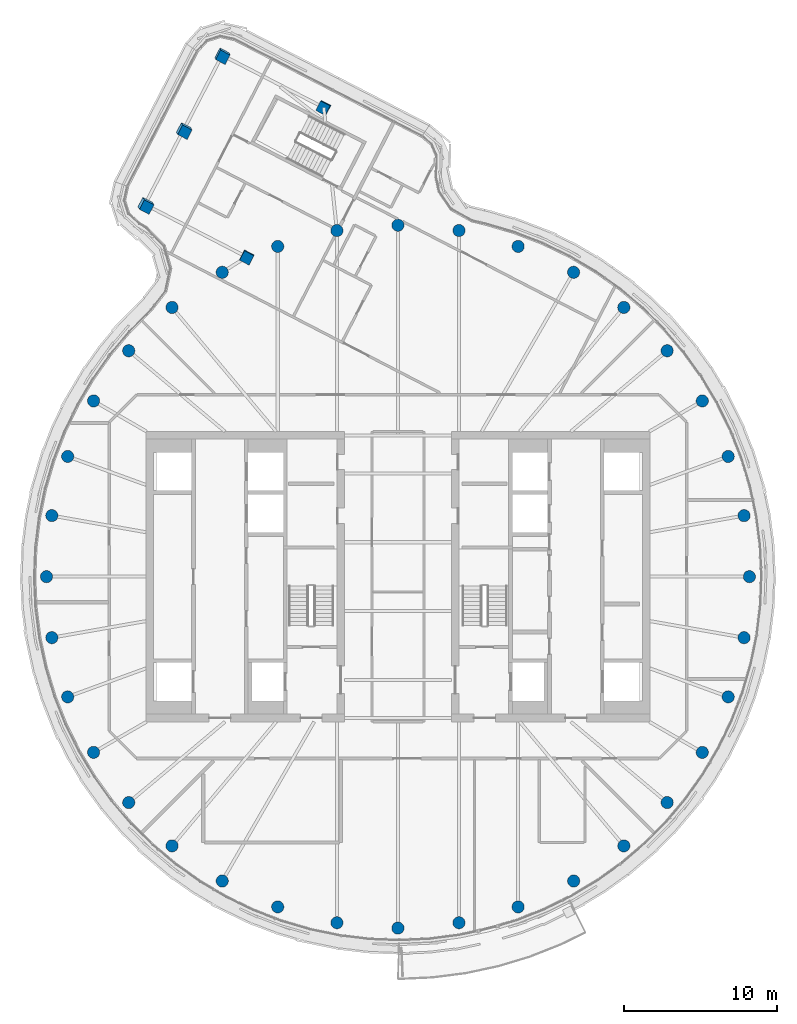
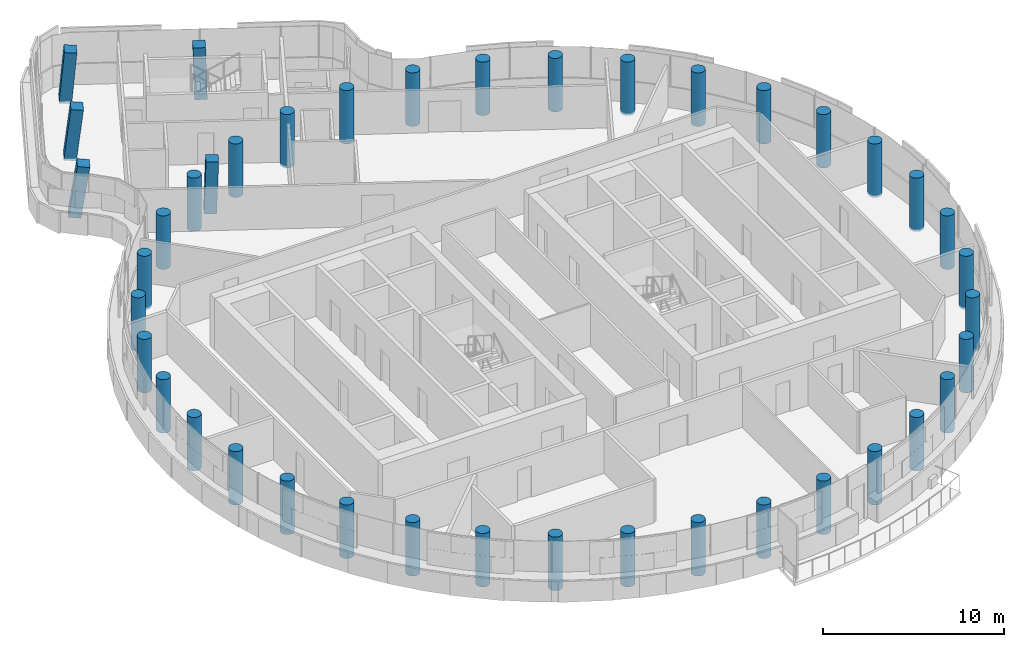
# One storey, part 1 of 21: 41 columns.
"""IFC4 building model written with IfcOpenShell, lengths in metres."""

from ifc_helpers import new_model, si_unit, direction, frame, origin, origin_2d, place, context, subcontext, project, spatial, rectangle, circle, extrude, material, material_profile, profile_set, type_object, element, save


model = new_model("IFC4")

# Units and contexts
model_context = context("Model", 3, precision=1e-05, world=origin(), true_north=direction((0.0, 1.0)))
body_context = subcontext(model_context, "Body", "Model", "MODEL_VIEW")
ifc_project = project(units=[si_unit("LENGTHUNIT", "METRE"), si_unit("AREAUNIT", "SQUARE_METRE"), si_unit("VOLUMEUNIT", "CUBIC_METRE"), si_unit("PLANEANGLEUNIT", "RADIAN"), si_unit("MASSUNIT", "GRAM", prefix="KILO")], contexts=[model_context])

# Site, building, storey
site_placement = place(None, origin())
site = spatial("IfcSite", under=ifc_project, at=site_placement, CompositionType="ELEMENT")
building_placement = place(site_placement, origin())
building = spatial("IfcBuilding", under=site, at=building_placement, Name="Tamarind Cross Interchange Tower", CompositionType="ELEMENT")
storey_placement = place(building_placement, frame((0.0, 0.0, 260.39990234375)))
storey = spatial("IfcBuildingStorey", under=building, at=storey_placement, Name="L66", CompositionType="ELEMENT", Elevation=260.39990234375)

# Columns
ifc_material = material(Name="Concrete C45", Category="concrete")
ifc_material_profile_1 = material_profile(ifc_material, rectangle(XDim=0.699951171875, YDim=0.699951171875, at=origin_2d()), Name="RC 700x700")
ifc_profile_set_1 = profile_set([ifc_material_profile_1], Name="Concrete C45")
column_type_1 = type_object("IfcColumnType", Name="Column RC 700x700 Concrete C45", PredefinedType="COLUMN", material=ifc_profile_set_1)
for number, where, z_axis, x_axis, name in (
    (1, (-9.898193359375, 20.92138671875, -0.138671875), (0.005896416244, -0.050017875725, 0.998730916906), (0.459230429043, 0.887336577065, 0.041727832963), "Column L66-045"),
    (2, (-4.85107421875, 30.695068359375, -0.138671875), (-0.043782531991, -0.024941132775, 0.998729708073), (0.887827603, -0.459356812993, 0.027449329829), "Column L66-046"),
):
    element("IfcColumn", number, at=place(storey_placement, frame(where, z_axis=z_axis, x_axis=x_axis)), inside=storey, type_object=column_type_1, Name=name, PredefinedType="COLUMN", context=body_context, shape_type="SweptSolid", body=[
        extrude(rectangle(XDim=0.699951171875, YDim=0.699951171875, at=origin_2d()), origin(), (0.0, 0.0, 1.0), 3.602294921875),
    ])
column_1_placement = place(storey_placement, frame((-11.501953125, 34.129638671875, -0.137939453125), z_axis=(0.03313385922, -0.104732687393, 0.993948294211), x_axis=(0.460294571785, 0.884347146574, 0.077839781162)))
element("IfcColumn", 3, at=column_1_placement, inside=storey, type_object=column_type_1, Name="Column L66-047", PredefinedType="COLUMN", context=body_context, shape_type="SweptSolid", body=[
    extrude(rectangle(XDim=0.699951171875, YDim=0.699951171875, at=origin_2d()), origin(), (0.0, 0.0, 1.0), 3.617919921875),
])
column_2_placement = place(storey_placement, frame((-14.025634765625, 29.24267578125, -0.1376953125), z_axis=(0.057759270327, -0.116864910592, 0.991466822119), x_axis=(0.46076619798, 0.884142574373, 0.077371952149)))
element("IfcColumn", 4, at=column_2_placement, inside=storey, type_object=column_type_1, Name="Column L66-048", PredefinedType="COLUMN", context=body_context, shape_type="SweptSolid", body=[
    extrude(rectangle(XDim=0.699951171875, YDim=0.699951171875, at=origin_2d()), origin(), (0.0, 0.0, 1.0), 3.626708984375),
])
column_3_placement = place(storey_placement, frame((-16.549072265625, 24.355712890625, -0.1376953125), z_axis=(0.082069355489, -0.128908611525, 0.988254618388), x_axis=(0.462174840487, 0.883451999176, 0.076856892816)))
element("IfcColumn", 5, at=column_3_placement, inside=storey, type_object=column_type_1, Name="Column L66-049", PredefinedType="COLUMN", context=body_context, shape_type="SweptSolid", body=[
    extrude(rectangle(XDim=0.699951171875, YDim=0.699951171875, at=origin_2d()), origin(), (0.0, 0.0, 1.0), 3.63818359375),
])
ifc_material_profile_2 = material_profile(ifc_material, circle(Radius=0.39990234375, at=origin_2d()), Name="RC D800")
ifc_profile_set_2 = profile_set([ifc_material_profile_2], Name="Concrete C45")
column_type_2 = type_object("IfcColumnType", Name="Column RC D800 Concrete C45", PredefinedType="COLUMN", material=ifc_profile_set_2)
for number, where, z_axis, x_axis, name in (
    (6, (23.0, 0.0, -0.139892578125), (0.0, 0.0, 1.0), (1.0, 0.0, 0.0), "Column L66-000"),
    (7, (22.650634765625, 3.993896484375, -0.139892578125), (0.0, 0.0, 1.0), (1.0, 0.0, 0.0), "Column L66-001"),
    (8, (21.613037109375, 7.866455078125, -0.139892578125), (0.0, 0.0, 1.0), (1.0, 0.0, 0.0), "Column L66-002"),
    (9, (19.918701171875, 11.5, -0.139892578125), (0.0, 0.0, 1.0), (1.0, 0.0, 0.0), "Column L66-003"),
    (10, (17.619140625, 14.7841796875, -0.139892578125), (0.0, 0.0, 1.0), (1.0, 0.0, 0.0), "Column L66-004"),
    (11, (14.7841796875, 17.619140625, -0.139892578125), (0.0, 0.0, 1.0), (1.0, 0.0, 0.0), "Column L66-005"),
    (12, (11.5, 19.918701171875, -0.139892578125), (0.0, 0.0, 1.0), (1.0, 0.0, 0.0), "Column L66-006"),
    (13, (7.866455078125, 21.613037109375, -0.139892578125), (0.0, 0.0, 1.0), (1.0, 0.0, 0.0), "Column L66-007"),
    (14, (3.993896484375, 22.650634765625, -0.139892578125), (0.0, 0.0, 1.0), (1.0, 0.0, 0.0), "Column L66-008"),
    (15, (0.0, 23.0, -0.139892578125), (0.0, 0.0, 1.0), (1.0, 0.0, 0.0), "Column L66-009"),
    (16, (-3.993896484375, 22.650634765625, -0.139892578125), (0.0, 0.0, 1.0), (1.0, 0.0, 0.0), "Column L66-010"),
    (17, (-7.866455078125, 21.613037109375, -0.139892578125), (0.0, 0.0, 1.0), (1.0, 0.0, 0.0), "Column L66-011"),
    (18, (-11.5, 19.918701171875, -0.139892578125), (0.0, 0.0, 1.0), (1.0, 0.0, 0.0), "Column L66-012"),
    (19, (-14.7841796875, 17.619140625, -0.139892578125), (0.0, 0.0, 1.0), (1.0, 0.0, 0.0), "Column L66-013"),
    (20, (-17.619140625, 14.7841796875, -0.139892578125), (0.0, 0.0, 1.0), (1.0, 0.0, 0.0), "Column L66-014"),
    (21, (-19.918701171875, 11.5, -0.139892578125), (0.0, 0.0, 1.0), (1.0, 0.0, 0.0), "Column L66-015"),
    (22, (-21.613037109375, 7.866455078125, -0.139892578125), (0.0, 0.0, 1.0), (1.0, 0.0, 0.0), "Column L66-016"),
    (23, (-22.650634765625, 3.993896484375, -0.139892578125), (0.0, 0.0, 1.0), (1.0, 0.0, 0.0), "Column L66-017"),
    (24, (-23.0, 0.0, -0.139892578125), (0.0, 0.0, 1.0), (1.0, 0.0, 0.0), "Column L66-018"),
    (25, (-22.650634765625, -3.993896484375, -0.139892578125), (0.0, 0.0, 1.0), (1.0, 0.0, 0.0), "Column L66-019"),
    (26, (-21.613037109375, -7.866455078125, -0.139892578125), (0.0, 0.0, 1.0), (1.0, 0.0, 0.0), "Column L66-020"),
    (27, (-19.918701171875, -11.5, -0.139892578125), (0.0, 0.0, 1.0), (1.0, 0.0, 0.0), "Column L66-021"),
    (28, (-17.619140625, -14.7841796875, -0.139892578125), (0.0, 0.0, 1.0), (1.0, 0.0, 0.0), "Column L66-022"),
    (29, (-14.7841796875, -17.619140625, -0.139892578125), (0.0, 0.0, 1.0), (1.0, 0.0, 0.0), "Column L66-023"),
    (30, (-11.5, -19.918701171875, -0.139892578125), (0.0, 0.0, 1.0), (1.0, 0.0, 0.0), "Column L66-024"),
    (31, (-7.866455078125, -21.613037109375, -0.139892578125), (0.0, 0.0, 1.0), (1.0, 0.0, 0.0), "Column L66-025"),
    (32, (-3.993896484375, -22.650634765625, -0.139892578125), (0.0, 0.0, 1.0), (1.0, 0.0, 0.0), "Column L66-026"),
    (33, (0.0, -23.0, -0.139892578125), (0.0, 0.0, 1.0), (1.0, 0.0, 0.0), "Column L66-027"),
    (34, (3.993896484375, -22.650634765625, -0.139892578125), (0.0, 0.0, 1.0), (1.0, 0.0, 0.0), "Column L66-028"),
    (35, (7.866455078125, -21.613037109375, -0.139892578125), (0.0, 0.0, 1.0), (1.0, 0.0, 0.0), "Column L66-029"),
    (36, (11.5, -19.918701171875, -0.139892578125), (0.0, 0.0, 1.0), (1.0, 0.0, 0.0), "Column L66-030"),
    (37, (14.7841796875, -17.619140625, -0.139892578125), (0.0, 0.0, 1.0), (1.0, 0.0, 0.0), "Column L66-031"),
    (38, (17.619140625, -14.7841796875, -0.139892578125), (0.0, 0.0, 1.0), (1.0, 0.0, 0.0), "Column L66-032"),
    (39, (19.918701171875, -11.5, -0.139892578125), (0.0, 0.0, 1.0), (1.0, 0.0, 0.0), "Column L66-033"),
    (40, (21.613037109375, -7.866455078125, -0.139892578125), (0.0, 0.0, 1.0), (1.0, 0.0, 0.0), "Column L66-034"),
    (41, (22.650634765625, -3.993896484375, -0.139892578125), (0.0, 0.0, 1.0), (1.0, 0.0, 0.0), "Column L66-035"),
):
    element("IfcColumn", number, at=place(storey_placement, frame(where, z_axis=z_axis, x_axis=x_axis)), inside=storey, type_object=column_type_2, Name=name, PredefinedType="COLUMN", context=body_context, shape_type="SweptSolid", body=[
        extrude(circle(Radius=0.39990234375, at=origin_2d()), origin(), (0.0, 0.0, 1.0), 3.60009765625),
    ])

save(model, "model.ifc")
